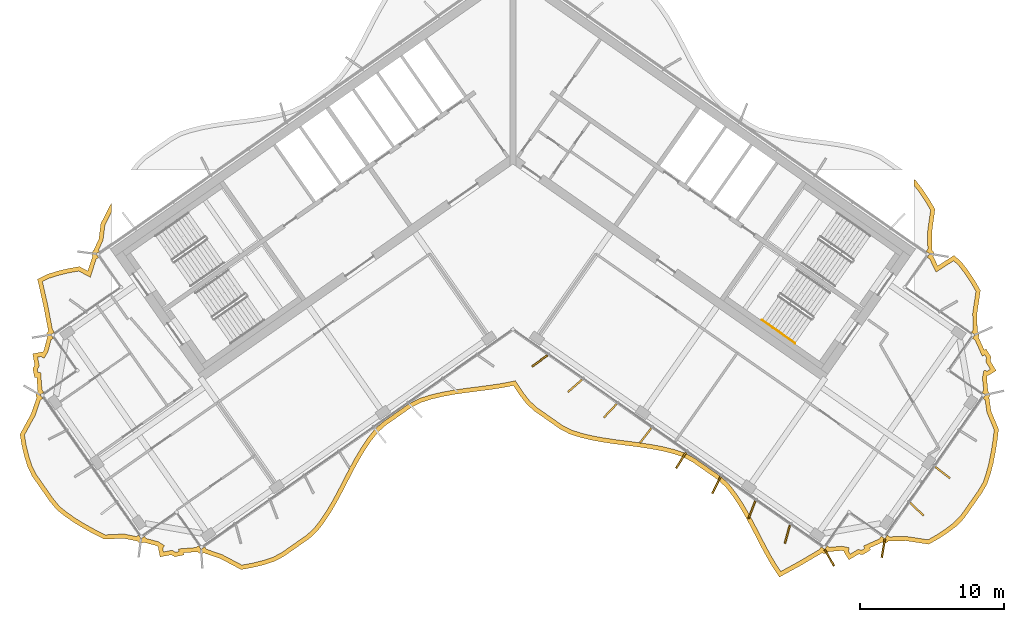
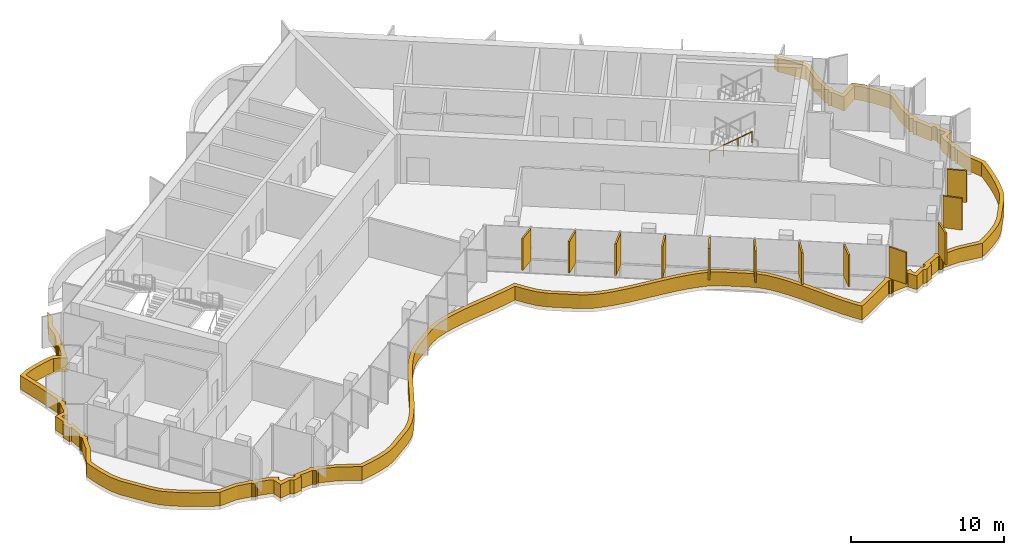
# One storey, part 17 of 19: 13 shading devices, 1 railing.
"""IFC4 building model written with IfcOpenShell, lengths in metres."""

from ifc_helpers import new_model, si_unit, direction, frame, origin, origin_2d, place, context, subcontext, project, spatial, polyline, rectangle, circle, outline, extrude, material, layer, layer_set, type_object, element, save


model = new_model("IFC4")

# Units and contexts
model_context = context("Model", 3, precision=1e-05, world=origin(), true_north=direction((0.0, 1.0)))
body_context = subcontext(model_context, "Body", "Model", "MODEL_VIEW")
ifc_project = project(units=[si_unit("LENGTHUNIT", "METRE"), si_unit("AREAUNIT", "SQUARE_METRE"), si_unit("VOLUMEUNIT", "CUBIC_METRE"), si_unit("PLANEANGLEUNIT", "RADIAN"), si_unit("MASSUNIT", "GRAM", prefix="KILO")], contexts=[model_context])

# Site, building, storey
site_placement = place(None, origin())
site = spatial("IfcSite", under=ifc_project, at=site_placement, CompositionType="ELEMENT")
building_placement = place(site_placement, origin())
building = spatial("IfcBuilding", under=site, at=building_placement, Name="Tel Ilan Convention Tower", CompositionType="ELEMENT")
storey_placement = place(building_placement, frame((0.0, 0.0, 241.0)))
storey = spatial("IfcBuildingStorey", under=building, at=storey_placement, Name="L56", CompositionType="ELEMENT", Elevation=241.0)

# Shading devices
ifc_material_1 = material(Name="Aluminium, bronze anodised", Category="aluminium")
ifc_layer_1 = layer(ifc_material_1, 0.1201171875)
ifc_layer_set_1 = layer_set([ifc_layer_1], Name="FIN BRONZE 1300x120")
shading_device_type_1 = type_object("IfcShadingDeviceType", Name="FIN BRONZE 1300x120", PredefinedType="USERDEFINED", material=ifc_layer_set_1)
for number, where, z_axis, x_axis, name in (
    (1, (1.8671875, -14.897705078125, 1.10009765625), (0.0, 0.0, 1.0), (-0.813552070258, -0.581492071294, 0.0), "FIN"),
    (2, (4.316650390625, -16.6279296875, 1.10009765625), (0.0, 0.0, 1.0), (-0.753435896329, -0.657521368568, 0.0), "FIN"),
    (3, (6.770751953125, -18.354248046875, 1.10009765625), (0.0, 0.0, 1.0), (-0.686241637865, -0.727373641577, 0.0), "FIN"),
    (4, (9.229248046875, -20.075927734375, 1.10009765625), (0.0, 0.0, 1.0), (-0.612600545196, -0.790392669516, 0.0), "FIN"),
    (5, (11.68798828125, -21.797607421875, 1.10009765625), (0.0, 0.0, 1.0), (-0.533204432798, -0.845986425922, 0.0), "FIN"),
    (6, (14.146728515625, -23.51904296875, 1.10009765625), (0.0, 0.0, 1.0), (-0.448799180206, -0.893632640321, 0.0), "FIN"),
    (7, (16.6083984375, -25.234619140625, 1.10009765625), (0.0, 0.0, 1.0), (-0.360177724803, -0.932883704733, 0.0), "FIN"),
    (8, (19.072021484375, -26.944580078125, 1.10009765625), (0.0, 0.0, 1.0), (-0.268172612768, -0.963370878614, 0.0), "FIN"),
    (9, (21.98779296875, -28.5732421875, 1.10009765625), (0.0, 0.0, 1.0), (0.491579408049, -0.870832754082, 0.0), "FIN"),
    (10, (25.73974609375, -27.91162109375, 1.10009765625), (0.0, 0.0, 1.0), (-0.16409119891, -0.986445172547, 0.0), "FIN"),
    (11, (28.07177734375, -25.20361328125, 1.10009765625), (0.0, 0.0, 1.0), (0.727373641577, -0.686241637865, 0.0), "FIN"),
    (12, (29.857421875, -22.654052734375, 1.10009765625), (0.0, 0.0, 1.0), (0.790392669516, -0.612600545196, 0.0), "FIN"),
):
    element("IfcShadingDevice", number, at=place(storey_placement, frame(where, z_axis=z_axis, x_axis=x_axis)), inside=storey, type_object=shading_device_type_1, Name=name, ObjectType="FIN", PredefinedType="USERDEFINED", context=body_context, shape_type="SweptSolid", body=[
        extrude(rectangle(XDim=1.300048828125, YDim=0.1201171875, at=origin_2d()), origin(), (0.0, 0.0, 1.0), 2.52001953125),
    ])
ifc_material_2 = material(Name="Aluminium, bronze anodised", Category="aluminium")
ifc_layer_2 = layer(ifc_material_2, 0.300048828125)
ifc_layer_set_2 = layer_set([ifc_layer_2], Name="LOUVRE BAND 300x1100")
shading_device_type_2 = type_object("IfcShadingDeviceType", Name="LOUVRE BAND 300x1100", PredefinedType="USERDEFINED", material=ifc_layer_set_2)
shading_device_placement = place(storey_placement, origin())
element("IfcShadingDevice", 13, at=shading_device_placement, inside=storey, type_object=shading_device_type_2, Name="LOUVRE BAND 43.01", ObjectType="LOUVRE", PredefinedType="USERDEFINED", context=body_context, shape_type="SweptSolid", body=[
    extrude(outline(polyline([(-33.47021484375, -18.574462890625), (-34.248779296875, -19.995849609375), (-34.1181640625, -20.780517578125), (-33.940185546875, -21.531982421875), (-33.7158203125, -22.2509765625), (-33.401611328125, -22.906982421875), (-32.166748046875, -24.670654296875), (-31.707763671875, -25.22509765625), (-31.125732421875, -25.69384765625), (-30.49462890625, -26.1279296875), (-29.82373046875, -26.5341796875), (-29.12353515625, -26.920166015625), (-28.398193359375, -27.288330078125), (-27.05419921875, -27.223388671875), (-26.083984375, -27.420166015625), (-26.05517578125, -27.46337890625), (-25.957763671875, -27.5283203125), (-25.843017578125, -27.55126953125), (-25.728271484375, -27.5283203125), (-25.674072265625, -27.492431640625), (-24.7724609375, -27.73388671875), (-24.61669921875, -27.828857421875), (-24.64697265625, -27.878662109375), (-24.51416015625, -28.518310546875), (-23.728759765625, -28.3701171875), (-23.49462890625, -28.5126953125), (-22.855224609375, -28.3798828125), (-22.8828125, -28.233154296875), (-21.90576171875, -28.15673828125), (-21.876953125, -28.2001953125), (-21.779541015625, -28.26513671875), (-21.664794921875, -28.2880859375), (-21.550048828125, -28.26513671875), (-21.49609375, -28.22900390625), (-20.311279296875, -28.64013671875), (-18.883544921875, -29.3984375), (-18.087646484375, -29.25439453125), (-17.32080078125, -29.068359375), (-16.588623046875, -28.833251953125), (-15.931640625, -28.490478515625), (-14.12646484375, -27.226318359375), (-13.582763671875, -26.721923828125), (-13.1123046875, -26.113037109375), (-12.67626953125, -25.454833984375), (-12.267333984375, -24.7578125), (-11.877197265625, -24.033935546875), (-11.11572265625, -22.56005859375), (-10.724853515625, -21.83740234375), (-10.314697265625, -21.142333984375), (-9.877197265625, -20.486572265625), (-9.404541015625, -19.88037109375), (-8.85498046875, -19.384765625), (-7.049560546875, -18.12060546875), (-6.386474609375, -17.78662109375), (-5.65234375, -17.55419921875), (-4.884033203125, -17.370849609375), (-4.088623046875, -17.225830078125), (-3.274658203125, -17.107421875), (-1.629150390625, -16.895751953125), (-0.816650390625, -16.775146484375), (0.033203125, -16.6123046875), (0.470458984375, -17.269775390625), (0.94189453125, -17.877197265625), (1.488525390625, -18.377197265625), (3.2939453125, -19.641357421875), (3.953857421875, -19.979736328125), (4.68701171875, -20.213623046875), (5.45458984375, -20.398193359375), (6.24951171875, -20.5439453125), (7.06298828125, -20.6630859375), (8.70849609375, -20.87451171875), (9.521240234375, -20.99462890625), (10.314697265625, -21.142333984375), (11.080810546875, -21.329345703125), (11.811767578125, -21.56591796875), (12.4658203125, -21.912841796875), (14.27099609375, -23.177001953125), (14.811767578125, -23.685791015625), (15.28125, -24.29638671875), (15.71630859375, -24.95556640625), (16.12451171875, -25.653564453125), (16.51416015625, -26.3779296875), (17.27587890625, -27.851806640625), (17.6669921875, -28.573974609375), (18.077880859375, -29.26806640625), (18.5185546875, -29.91943359375), (19.969482421875, -29.128173828125), (21.49609375, -28.22900390625), (21.550048828125, -28.26513671875), (21.664794921875, -28.2880859375), (21.779541015625, -28.26513671875), (21.876953125, -28.2001953125), (21.90576171875, -28.15673828125), (22.8359375, -28.075439453125), (23.0146484375, -28.111328125), (23.003173828125, -28.168701171875), (23.3466796875, -28.72412109375), (24.0341796875, -28.316162109375), (24.302734375, -28.370361328125), (24.8583984375, -28.02685546875), (24.7822265625, -27.8984375), (25.674072265625, -27.492431640625), (25.728271484375, -27.5283203125), (25.843017578125, -27.55126953125), (25.957763671875, -27.5283203125), (26.05517578125, -27.46337890625), (26.083984375, -27.420166015625), (27.2958984375, -27.392578125), (28.897705078125, -27.637939453125), (29.59033203125, -27.246826171875), (30.235595703125, -26.82275390625), (30.83447265625, -26.365966796875), (31.343505859375, -25.846435546875), (32.578369140625, -24.082763671875), (32.942626953125, -23.461669921875), (33.183837890625, -22.75439453125), (33.376220703125, -22.012939453125), (33.5283203125, -21.243408203125), (33.6513671875, -20.45361328125), (33.749267578125, -19.64599609375), (33.228759765625, -18.405517578125), (33.081787109375, -17.426513671875), (33.11767578125, -17.372314453125), (33.140625, -17.257568359375), (33.11767578125, -17.142822265625), (33.052734375, -17.04541015625), (33.009521484375, -17.0166015625), (32.92822265625, -16.086669921875), (32.964111328125, -15.90771484375), (33.021240234375, -15.919189453125), (33.57666015625, -15.57568359375), (33.1689453125, -14.88818359375), (33.222900390625, -14.61962890625), (32.87939453125, -14.06396484375), (32.7509765625, -14.14013671875), (32.344970703125, -13.248291015625), (32.381103515625, -13.1943359375), (32.40380859375, -13.079345703125), (32.381103515625, -12.964599609375), (32.31591796875, -12.8671875), (32.272705078125, -12.83837890625), (32.248779296875, -11.6083984375), (32.485595703125, -10.006103515625), (32.0869140625, -9.3115234375), (31.6572265625, -8.661376953125), (31.194091796875, -8.05859375), (30.656494140625, -7.5625), (29.52001953125, -8.2939453125), (29.199951171875, -7.6279296875), (29.236083984375, -7.57373046875), (29.2587890625, -7.458984375), (29.236083984375, -7.34423828125), (29.1708984375, -7.246826171875), (29.127685546875, -7.218017578125), (29.10986328125, -5.95947265625), (29.331298828125, -4.35888671875), (28.922119140625, -3.659423828125), (28.48388671875, -3.001220703125), (28.0107421875, -2.392822265625), (27.874755859375, -2.269287109375), (27.874755859375, -2.70654296875), (28.240234375, -3.176513671875), (28.66748046875, -3.818359375), (29.02001953125, -4.420654296875), (28.809326171875, -5.941162109375), (28.829345703125, -7.12109375), (28.713134765625, -7.286865234375), (28.958740234375, -7.458984375), (28.787353515625, -7.705322265625), (28.9677734375, -7.83154296875), (29.395751953125, -8.730712890625), (30.62353515625, -7.9404296875), (30.971923828125, -8.26171875), (31.412841796875, -8.83544921875), (31.83154296875, -9.46923828125), (32.173583984375, -10.065185546875), (31.948486328125, -11.589599609375), (31.973876953125, -12.7421875), (31.858154296875, -12.9072265625), (32.103759765625, -13.079345703125), (31.932373046875, -13.32568359375), (32.110107421875, -13.449951171875), (32.615478515625, -14.5693359375), (32.779052734375, -14.472412109375), (32.905517578125, -14.676513671875), (32.85205078125, -14.942138671875), (33.16845703125, -15.475341796875), (32.964111328125, -15.6015625), (32.72900390625, -15.554443359375), (32.62548828125, -16.0703125), (32.703857421875, -16.9296875), (32.594970703125, -17.08544921875), (32.840576171875, -17.257568359375), (32.669189453125, -17.50390625), (32.80810546875, -17.60107421875), (32.937255859375, -18.486328125), (33.44189453125, -19.68896484375), (33.354248046875, -20.412353515625), (33.23291015625, -21.191162109375), (33.08349609375, -21.9462890625), (32.896240234375, -22.668212890625), (32.66845703125, -23.3359375), (32.32568359375, -23.920654296875), (31.112060546875, -25.654052734375), (30.63525390625, -26.140625), (30.06201171875, -26.577880859375), (29.43408203125, -26.99072265625), (28.840576171875, -27.32568359375), (27.31494140625, -27.091796875), (26.179931640625, -27.120849609375), (26.01513671875, -27.005615234375), (25.843017578125, -27.251220703125), (25.5966796875, -27.079833984375), (25.472412109375, -27.257568359375), (24.35302734375, -27.762939453125), (24.4501953125, -27.926513671875), (24.245849609375, -28.052734375), (23.980224609375, -27.99951171875), (23.447021484375, -28.31591796875), (23.32080078125, -28.111572265625), (23.367919921875, -27.87646484375), (22.85205078125, -27.772705078125), (21.99267578125, -27.851318359375), (21.8369140625, -27.7421875), (21.664794921875, -27.988037109375), (21.418701171875, -27.816650390625), (21.284423828125, -28.008056640625), (19.82177734375, -28.866943359375), (18.6142578125, -29.525634765625), (18.331298828125, -29.107666015625), (17.92822265625, -28.426025390625), (17.541015625, -27.71142578125), (16.779541015625, -26.238037109375), (16.38623046875, -25.506591796875), (15.97119140625, -24.797119140625), (15.525634765625, -24.1220703125), (15.034912109375, -23.48388671875), (14.4609375, -22.94384765625), (12.62255859375, -21.656494140625), (11.92919921875, -21.288818359375), (11.16259765625, -21.04052734375), (10.3779296875, -20.848876953125), (9.570556640625, -20.69873046875), (8.749755859375, -20.577392578125), (7.103759765625, -20.36572265625), (6.29833984375, -20.248046875), (5.516845703125, -20.1044921875), (4.767822265625, -19.924560546875), (4.068603515625, -19.701416015625), (3.44921875, -19.3837890625), (1.6767578125, -18.142822265625), (1.163330078125, -17.673095703125), (0.714111328125, -17.094482421875), (0.165771484375, -16.269775390625), (-0.087890625, -16.33349609375), (-0.866455078125, -16.479248046875), (-1.67041015625, -16.5986328125), (-3.315185546875, -16.81005859375), (-4.136962890625, -16.9296875), (-4.945556640625, -17.0771484375), (-5.732666015625, -17.264892578125), (-6.5, -17.5078125), (-7.203857421875, -17.8623046875), (-9.042236328125, -19.1494140625), (-9.625, -19.67529296875), (-10.12060546875, -20.310791015625), (-10.56884765625, -20.982666015625), (-10.986083984375, -21.68994140625), (-11.380859375, -22.419677734375), (-12.142578125, -23.89404296875), (-12.529052734375, -24.61083984375), (-12.930908203125, -25.2958984375), (-13.356201171875, -25.938232421875), (-13.804931640625, -26.518798828125), (-14.315185546875, -26.992431640625), (-16.087890625, -28.233642578125), (-16.704833984375, -28.555419921875), (-17.402099609375, -28.779541015625), (-18.149658203125, -28.960693359375), (-18.83447265625, -29.084716796875), (-20.19140625, -28.3642578125), (-21.302978515625, -27.981689453125), (-21.418701171875, -27.816650390625), (-21.664794921875, -27.988037109375), (-21.8369140625, -27.7421875), (-22.01513671875, -27.8671875), (-23.239990234375, -27.959228515625), (-23.20458984375, -28.14599609375), (-23.439697265625, -28.19482421875), (-23.671142578125, -28.053955078125), (-24.2802734375, -28.1689453125), (-24.3291015625, -27.933837890625), (-24.204345703125, -27.72900390625), (-24.65380859375, -27.455078125), (-25.48828125, -27.23486328125), (-25.5966796875, -27.079833984375), (-25.843017578125, -27.251220703125), (-26.01513671875, -27.005615234375), (-26.15478515625, -27.103271484375), (-27.03076171875, -26.921875), (-28.333251953125, -26.98486328125), (-28.983154296875, -26.65478515625), (-29.673583984375, -26.2744140625), (-30.331787109375, -25.8759765625), (-30.946533203125, -25.453125), (-31.495849609375, -25.010498046875), (-31.927978515625, -24.488525390625), (-33.141845703125, -22.755126953125), (-33.43603515625, -22.140869140625), (-33.650634765625, -21.45263671875), (-33.823974609375, -20.72119140625), (-33.935791015625, -20.048828125), (-33.1943359375, -18.6953125), (-32.833251953125, -17.61865234375), (-32.669189453125, -17.50390625), (-32.840576171875, -17.257568359375), (-32.594970703125, -17.08544921875), (-32.7197265625, -16.9072265625), (-32.811767578125, -15.6826171875), (-32.998779296875, -15.7177734375), (-33.047607421875, -15.482666015625), (-32.906494140625, -15.251220703125), (-33.021484375, -14.64208984375), (-32.786376953125, -14.59326171875), (-32.58154296875, -14.718017578125), (-32.3076171875, -14.268798828125), (-32.087646484375, -13.434326171875), (-31.932373046875, -13.32568359375), (-32.103759765625, -13.079345703125), (-31.858154296875, -12.9072265625), (-31.993408203125, -12.714111328125), (-32.314697265625, -11.033447265625), (-32.68798828125, -9.385986328125), (-32.26708984375, -9.168701171875), (-31.5771484375, -8.950439453125), (-30.838623046875, -8.77392578125), (-30.161376953125, -8.65625), (-29.363525390625, -9.087646484375), (-28.950439453125, -7.8193359375), (-28.787353515625, -7.705322265625), (-28.958740234375, -7.458984375), (-28.713134765625, -7.286865234375), (-28.785888671875, -7.182861328125), (-28.480224609375, -6.525634765625), (-28.343994140625, -5.44384765625), (-27.874755859375, -4.536376953125), (-27.874755859375, -3.881103515625), (-28.635009765625, -5.353271484375), (-28.772216796875, -6.441650390625), (-29.127685546875, -7.218017578125), (-29.1708984375, -7.246826171875), (-29.236083984375, -7.34423828125), (-29.2587890625, -7.458984375), (-29.236083984375, -7.57373046875), (-29.199951171875, -7.6279296875), (-29.537353515625, -8.652587890625), (-30.110107421875, -8.3427734375), (-30.899169921875, -8.47998046875), (-31.6572265625, -8.661376953125), (-32.3818359375, -8.890380859375), (-33.031982421875, -9.225830078125), (-32.6083984375, -11.094970703125), (-32.272705078125, -12.83837890625), (-32.31591796875, -12.8671875), (-32.381103515625, -12.964599609375), (-32.40380859375, -13.079345703125), (-32.381103515625, -13.1943359375), (-32.344970703125, -13.248291015625), (-32.586669921875, -14.14990234375), (-32.681640625, -14.3056640625), (-32.7314453125, -14.275390625), (-33.370849609375, -14.408203125), (-33.22265625, -15.193603515625), (-33.365478515625, -15.427734375), (-33.232666015625, -16.067138671875), (-33.0859375, -16.03955078125), (-33.009521484375, -17.0166015625), (-33.052734375, -17.04541015625), (-33.11767578125, -17.142822265625), (-33.140625, -17.257568359375), (-33.11767578125, -17.372314453125), (-33.081787109375, -17.426513671875), (-33.47021484375, -18.574462890625)])), origin(), (0.0, 0.0, 1.0), 1.10009765625),
])

# Railing
ifc_material_3 = material(Name="Stainless Steel Grade 316", Category="steel")
railing_type = type_object("IfcRailingType", Name="Stainless Steel Stair Handrail 900 mm", PredefinedType="HANDRAIL", material=ifc_material_3)
railing_placement = place(storey_placement, frame((17.312744140625, -12.0615234375, 2.127197265625)))
element("IfcRailing", 14, at=railing_placement, inside=storey, type_object=railing_type, Name="L56 S4 stair handrail 2", PredefinedType="HANDRAIL", context=body_context, shape_type="SweptSolid", body=[
    extrude(circle(Radius=0.02392578125, at=origin_2d()), frame((0.0, 0.0, 0.8759765625), z_axis=(0.692123088272, -0.484596665743, 0.534912798717), x_axis=(0.573550118428, 0.819170471667, 0.0)), (0.0, 0.0, 1.0), 3.31396484375),
    extrude(circle(Radius=0.02099609375, at=origin_2d()), origin(), (0.0, 0.0, 1.0), 0.851806640625),
    extrude(circle(Radius=0.02099609375, at=origin_2d()), frame((0.7646484375, -0.535400390625, 0.5908203125)), (0.0, 0.0, 1.0), 0.851806640625),
    extrude(circle(Radius=0.02099609375, at=origin_2d()), frame((1.529052734375, -1.070556640625, 1.181884765625)), (0.0, 0.0, 1.0), 0.851806640625),
    extrude(circle(Radius=0.02099609375, at=origin_2d()), frame((2.293701171875, -1.60595703125, 1.772705078125)), (0.0, 0.0, 1.0), 0.851806640625),
])

save(model, "model.ifc")
